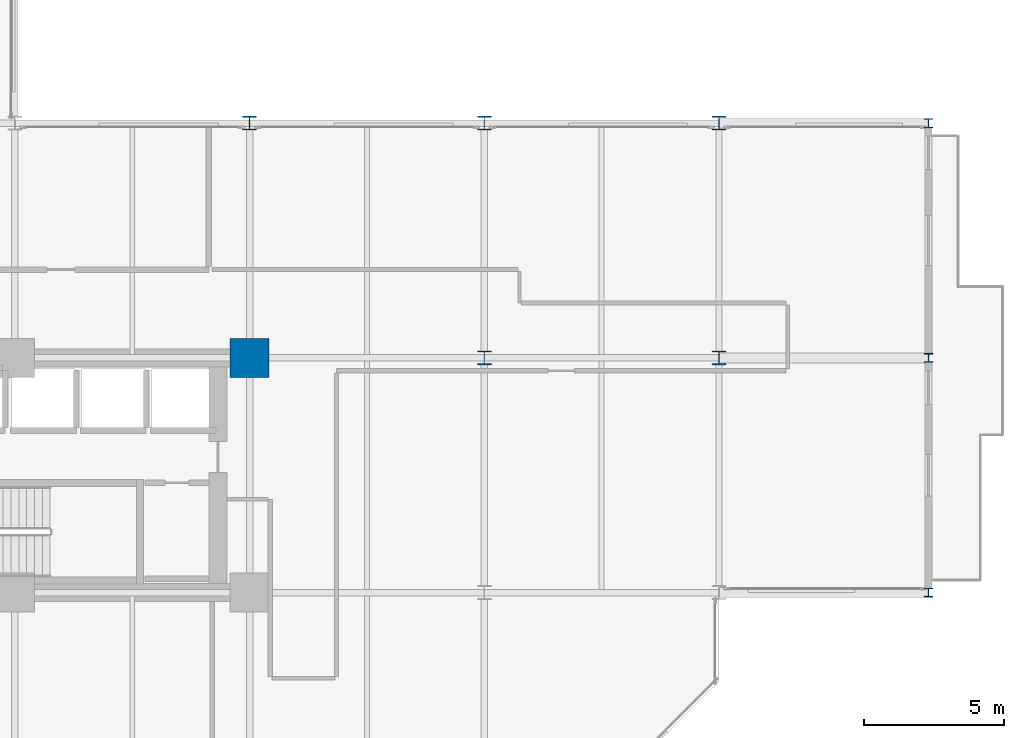
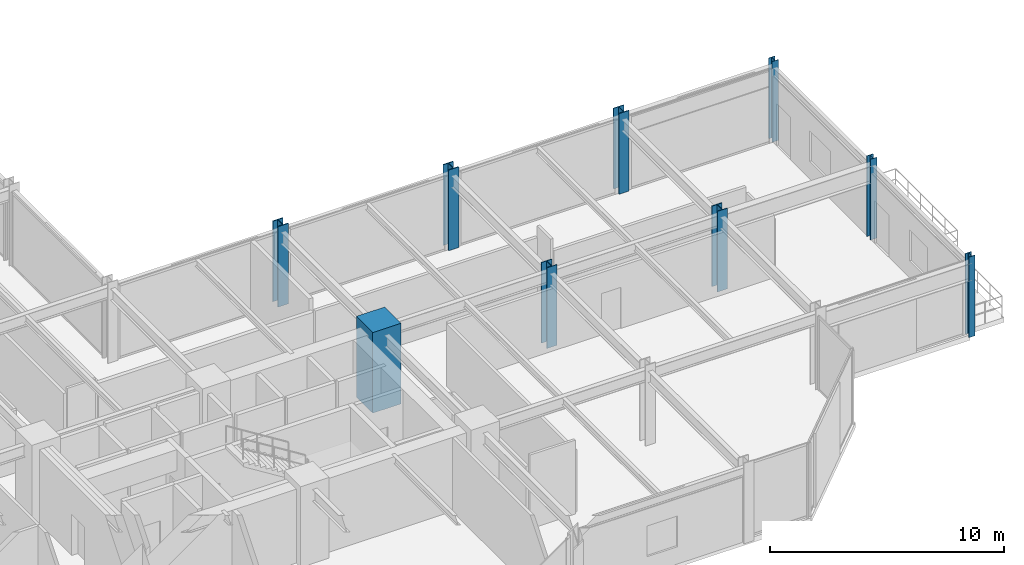
# One storey, part 2 of 26: 9 columns.
"""IFC4 building model written with IfcOpenShell, lengths in metres."""

from ifc_helpers import new_model, si_unit, direction, frame, origin, origin_2d, place, context, subcontext, project, spatial, rectangle, i_section, extrude, material, material_profile, profile_set, type_object, element, save


model = new_model("IFC4")

# Units and contexts
model_context = context("Model", 3, precision=1e-05, world=origin(), true_north=direction((0.0, 1.0)))
body_context = subcontext(model_context, "Body", "Model", "MODEL_VIEW")
ifc_project = project(units=[si_unit("LENGTHUNIT", "METRE"), si_unit("AREAUNIT", "SQUARE_METRE"), si_unit("VOLUMEUNIT", "CUBIC_METRE"), si_unit("PLANEANGLEUNIT", "RADIAN"), si_unit("MASSUNIT", "GRAM", prefix="KILO")], contexts=[model_context])

# Site, building, storey
site_placement = place(None, origin())
site = spatial("IfcSite", under=ifc_project, at=site_placement, CompositionType="ELEMENT")
building_placement = place(site_placement, origin())
building = spatial("IfcBuilding", under=site, at=building_placement, Name="Nerrivon Quay Data Exchange", CompositionType="ELEMENT")
storey_placement = place(building_placement, frame((0.0, 0.0, 75.199951171875)))
storey = spatial("IfcBuildingStorey", under=building, at=storey_placement, Name="L17", CompositionType="ELEMENT", Elevation=75.199951171875)

# Columns
ifc_material_1 = material(Name="Concrete N80 (80 MPa)", Category="concrete")
ifc_material_profile_1 = material_profile(ifc_material_1, rectangle(XDim=1.39990234375, YDim=1.39990234375, at=origin_2d()), Name="RC-COL-1400x1400")
ifc_profile_set_1 = profile_set([ifc_material_profile_1], Name="Concrete N80 (80 MPa)")
column_type_1 = type_object("IfcColumnType", Name="COL-C2-1400", PredefinedType="COLUMN", material=ifc_profile_set_1)
column_placement = place(storey_placement, frame((33.60009765625, 16.800048828125, 0.0), z_axis=(0.0, 0.0, 1.0), x_axis=(1.0, 0.0, 0.0)))
element("IfcColumn", 1, at=column_placement, inside=storey, type_object=column_type_1, Name="L17 Column (33.6,16.8)", PredefinedType="COLUMN", context=body_context, shape_type="SweptSolid", body=[
    extrude(rectangle(XDim=1.39990234375, YDim=1.39990234375, at=origin_2d()), origin(), (0.0, 0.0, 1.0), 4.199951171875),
])
ifc_material_2 = material(Name="Steel Grade 350", Category="steel")
ifc_material_profile_2 = material_profile(ifc_material_2, i_section(OverallWidth=0.5, OverallDepth=0.5, WebThickness=0.028076171875, FlangeThickness=0.0400390625, at=origin_2d()), Name="500WC440")
ifc_profile_set_2 = profile_set([ifc_material_profile_2], Name="Steel Grade 350")
column_type_2 = type_object("IfcColumnType", Name="COL-SC1-500WC", PredefinedType="COLUMN", material=ifc_profile_set_2)
for number, where, z_axis, x_axis, name in (
    (2, (33.60009765625, 25.199951171875, 0.0), (0.0, 0.0, 1.0), (1.0, 0.0, 0.0), "L17 Column (33.6,25.2)"),
    (3, (42.0, 16.800048828125, 0.0), (0.0, 0.0, 1.0), (1.0, 0.0, 0.0), "L17 Column (42.0,16.8)"),
    (4, (42.0, 25.199951171875, 0.0), (0.0, 0.0, 1.0), (1.0, 0.0, 0.0), "L17 Column (42.0,25.2)"),
    (5, (50.39990234375, 16.800048828125, 0.0), (0.0, 0.0, 1.0), (1.0, 0.0, 0.0), "L17 Column (50.4,16.8)"),
    (6, (50.39990234375, 25.199951171875, 0.0), (0.0, 0.0, 1.0), (1.0, 0.0, 0.0), "L17 Column (50.4,25.2)"),
):
    element("IfcColumn", number, at=place(storey_placement, frame(where, z_axis=z_axis, x_axis=x_axis)), inside=storey, type_object=column_type_2, Name=name, PredefinedType="COLUMN", context=body_context, shape_type="SweptSolid", body=[
        extrude(i_section(OverallWidth=0.5, OverallDepth=0.5, WebThickness=0.028076171875, FlangeThickness=0.0400390625, at=origin_2d()), origin(), (0.0, 0.0, 1.0), 4.199951171875),
    ])
ifc_material_profile_3 = material_profile(ifc_material_2, i_section(OverallWidth=0.31103515625, OverallDepth=0.326904296875, WebThickness=0.015625, FlangeThickness=0.02490234375, FilletRadius=0.0166015625, at=origin_2d()), Name="310UC158")
ifc_profile_set_3 = profile_set([ifc_material_profile_3], Name="Steel Grade 350")
column_type_3 = type_object("IfcColumnType", Name="COL-SC4-310UC158", PredefinedType="COLUMN", material=ifc_profile_set_3)
for number, where, z_axis, x_axis, name in (
    (7, (57.89990234375, 8.39990234375, 0.0), (0.0, 0.0, 1.0), (1.0, 0.0, 0.0), "L17 East Hooked Post (57.9,8.4)"),
    (8, (57.89990234375, 16.800048828125, 0.0), (0.0, 0.0, 1.0), (1.0, 0.0, 0.0), "L17 East Hooked Post (57.9,16.8)"),
    (9, (57.89990234375, 25.199951171875, 0.0), (0.0, 0.0, 1.0), (1.0, 0.0, 0.0), "L17 East Hooked Post (57.9,25.2)"),
):
    element("IfcColumn", number, at=place(storey_placement, frame(where, z_axis=z_axis, x_axis=x_axis)), inside=storey, type_object=column_type_3, Name=name, PredefinedType="COLUMN", context=body_context, shape_type="SweptSolid", body=[
        extrude(i_section(OverallWidth=0.31103515625, OverallDepth=0.326904296875, WebThickness=0.015625, FlangeThickness=0.02490234375, FilletRadius=0.0166015625, at=origin_2d()), origin(), (0.0, 0.0, 1.0), 4.199951171875),
    ])

save(model, "model.ifc")
